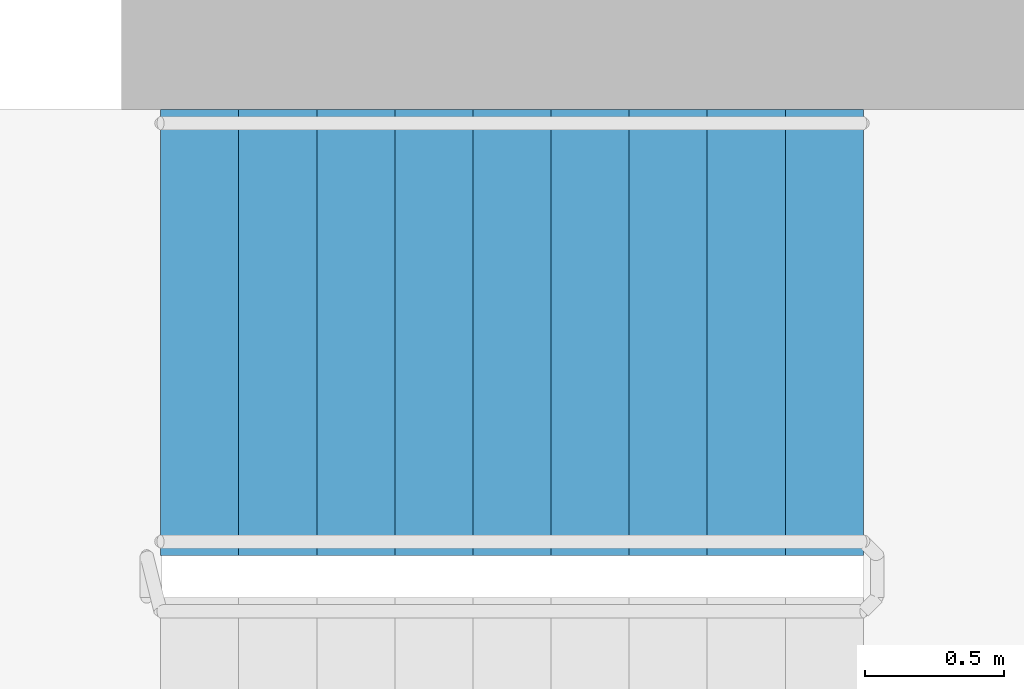
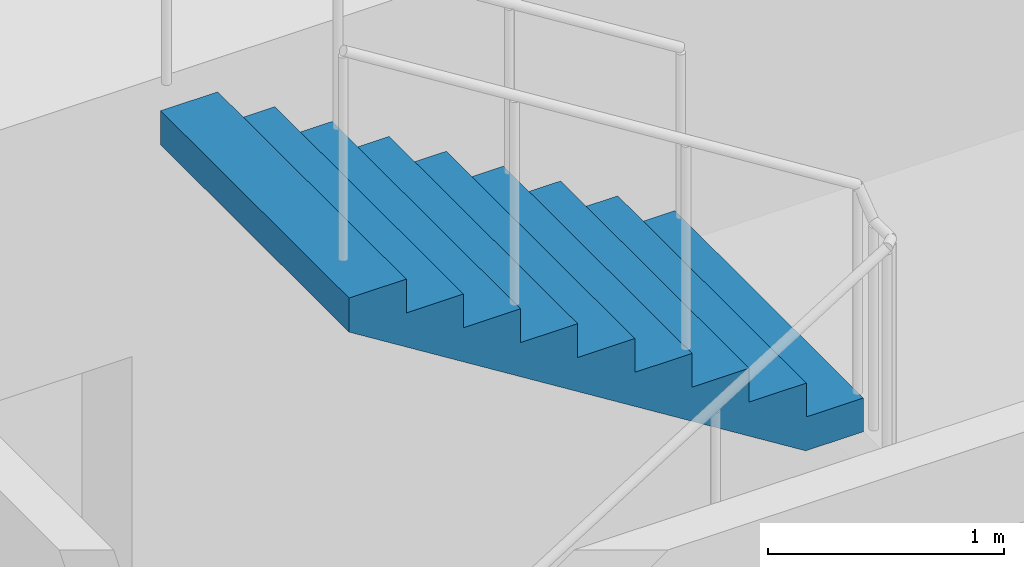
# One storey, part 23 of 27: 1 stair flight, 1 element without a shape of its own.
"""IFC4 building model written with IfcOpenShell, lengths in metres."""

from ifc_helpers import new_model, si_unit, direction, frame, origin, place, context, subcontext, project, spatial, polyline, outline, extrude, material, type_object, element, aggregate, save


model = new_model("IFC4")

# Units and contexts
model_context = context("Model", 3, precision=1e-05, world=origin(), true_north=direction((0.0, 1.0)))
body_context = subcontext(model_context, "Body", "Model", "MODEL_VIEW")
ifc_project = project(units=[si_unit("LENGTHUNIT", "METRE"), si_unit("AREAUNIT", "SQUARE_METRE"), si_unit("VOLUMEUNIT", "CUBIC_METRE"), si_unit("PLANEANGLEUNIT", "RADIAN"), si_unit("MASSUNIT", "GRAM", prefix="KILO")], contexts=[model_context])

# Site, building, storey
site_placement = place(None, origin())
site = spatial("IfcSite", under=ifc_project, at=site_placement, CompositionType="ELEMENT")
building_placement = place(site_placement, origin())
building = spatial("IfcBuilding", under=site, at=building_placement, Name="Orlundy Tower", CompositionType="ELEMENT")
storey_placement = place(building_placement, frame((0.0, 0.0, 202.60009765625)))
storey = spatial("IfcBuildingStorey", under=building, at=storey_placement, Name="L53", CompositionType="ELEMENT", Elevation=202.60009765625)

# Stair, stair flight
ifc_material_1 = material(Name="Concrete C50/60", Category="concrete")
stair_type = type_object("IfcStairType", Name="Exit Stair 20 risers", PredefinedType="HALF_TURN_STAIR", material=ifc_material_1)
stair_placement = place(storey_placement, origin())
stair = element("IfcStair", 1, at=stair_placement, inside=storey, type_object=stair_type, Name="L53 Exit Stair ST-E2", PredefinedType="HALF_TURN_STAIR")
ifc_material_2 = material(Name="Concrete C50/60", Category="concrete")
stair_flight_type = type_object("IfcStairFlightType", Name="Stair Flight 10 risers", PredefinedType="STRAIGHT", material=ifc_material_2)
stair_flight_placement = place(storey_placement, frame((15.659912109375, 10.300048828125, 1.75), z_axis=(0.0, 0.0, 1.0), x_axis=(-1.0, 0.0, 0.0)))
stair_flight = element("IfcStairFlight", 2, at=stair_flight_placement, type_object=stair_flight_type, Name="ST-E2 flight 2", NumberOfRisers=10, NumberOfTreads=9, PredefinedType="STRAIGHT", RiserHeight=0.175, TreadLength=0.28, context=body_context, shape_type="SweptSolid", body=[
    extrude(outline(polyline([(0.0, 0.0), (0.0, 0.175048828125), (0.280029296875, 0.175048828125), (0.280029296875, 0.35009765625), (0.56005859375, 0.35009765625), (0.56005859375, 0.52490234375), (0.840087890625, 0.52490234375), (0.840087890625, 0.699951171875), (1.1201171875, 0.699951171875), (1.1201171875, 0.875), (1.39990234375, 0.875), (1.39990234375, 1.050048828125), (1.679931640625, 1.050048828125), (1.679931640625, 1.22509765625), (1.9599609375, 1.22509765625), (1.9599609375, 1.39990234375), (2.239990234375, 1.39990234375), (2.239990234375, 1.574951171875), (2.52001953125, 1.574951171875), (2.52001953125, 1.75), (2.52001953125, 1.398193359375), (0.28271484375, 0.0), (0.0, 0.0)])), frame((0.0, 0.800048828125, 0.0), z_axis=(0.0, -1.0, 0.0), x_axis=(1.0, 0.0, 0.0)), (0.0, 0.0, 1.0), 1.60009765625),
])
aggregate(stair, [stair_flight])

save(model, "model.ifc")
